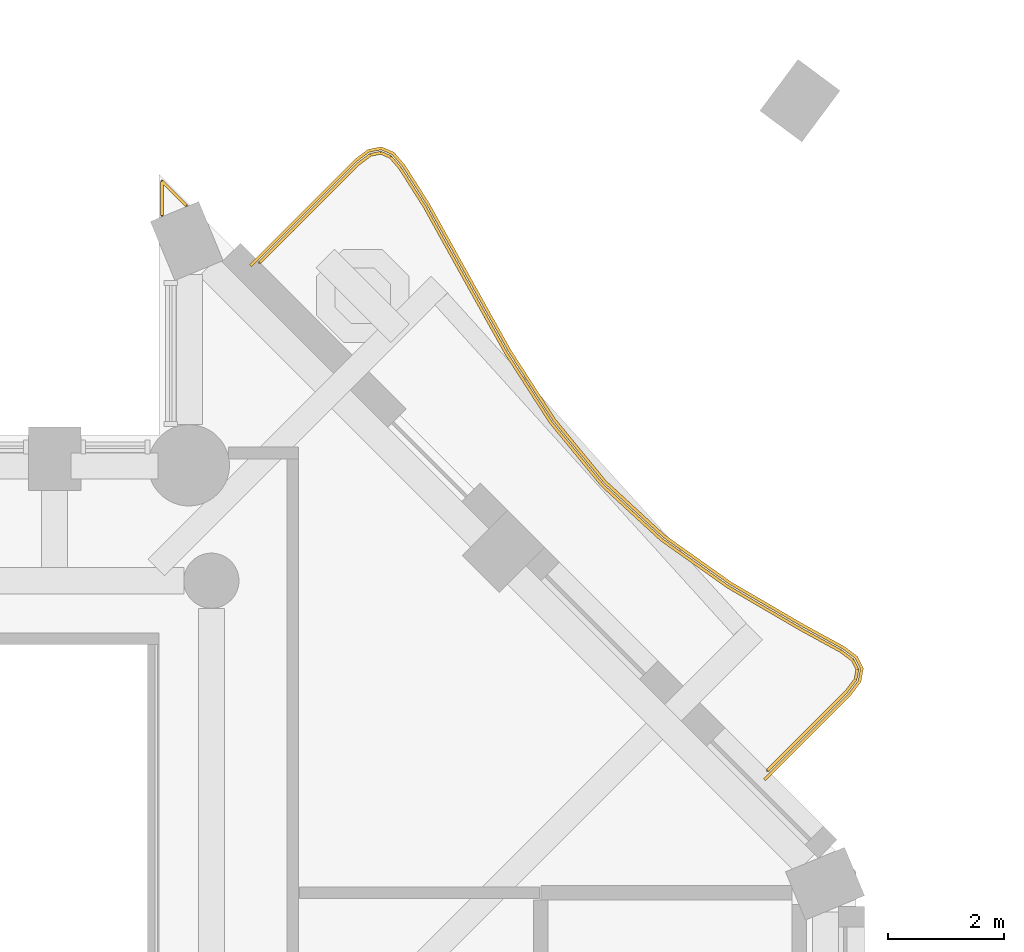
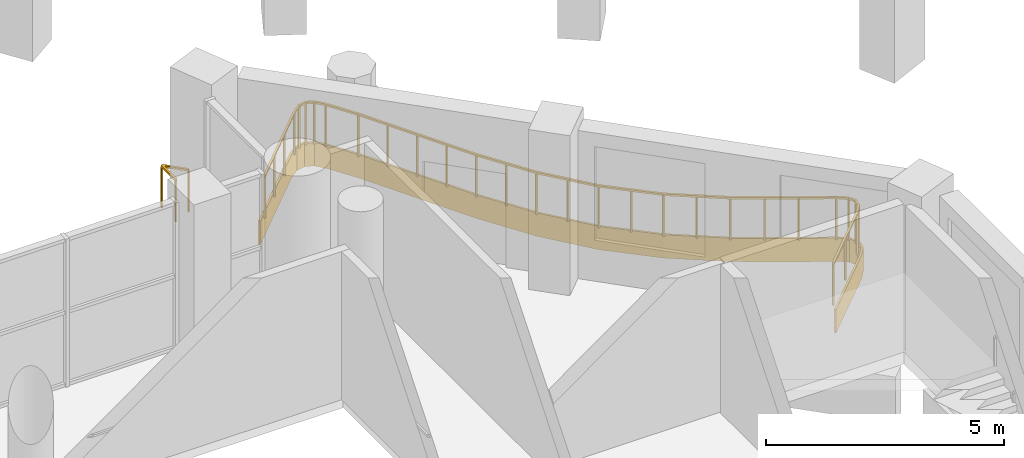
# One storey, part 13 of 14: 2 railings, 1 covering.
"""IFC4 building model written with IfcOpenShell, lengths in metres."""

from ifc_helpers import new_model, si_unit, direction, frame, origin, origin_2d, place, context, subcontext, project, spatial, polyline, rectangle, outline, extrude, material, layer, layer_set, type_object, element, save


model = new_model("IFC4")

# Units and contexts
model_context = context("Model", 3, precision=1e-05, world=origin(), true_north=direction((0.0, 1.0)))
body_context = subcontext(model_context, "Body", "Model", "MODEL_VIEW")
ifc_project = project(units=[si_unit("LENGTHUNIT", "METRE"), si_unit("AREAUNIT", "SQUARE_METRE"), si_unit("VOLUMEUNIT", "CUBIC_METRE"), si_unit("PLANEANGLEUNIT", "RADIAN"), si_unit("MASSUNIT", "GRAM", prefix="KILO")], contexts=[model_context])

# Site, building, storey
site_placement = place(None, origin())
site = spatial("IfcSite", under=ifc_project, at=site_placement, CompositionType="ELEMENT")
building_placement = place(site_placement, origin())
building = spatial("IfcBuilding", under=site, at=building_placement, Name="Cypress Arch Tower", CompositionType="ELEMENT")
storey_placement = place(building_placement, frame((0.0, 0.0, 226.10009765625)))
storey = spatial("IfcBuildingStorey", under=building, at=storey_placement, Name="L50", CompositionType="ELEMENT", Elevation=226.10009765625)

# Covering
ifc_material_1 = material(Name="White powder-coated aluminium fascia", Category="aluminium")
ifc_layer = layer(ifc_material_1, 0.050048828125)
ifc_layer_set = layer_set([ifc_layer], Name="Balcony fascia BF50")
covering_type = type_object("IfcCoveringType", Name="Balcony fascia BF50", PredefinedType="CLADDING", material=ifc_layer_set)
covering_placement = place(storey_placement, frame((0.0, 0.0, -0.60009765625)))
element("IfcCovering", 1, at=covering_placement, inside=storey, type_object=covering_type, Name="Balcony fascia L50-B05", PredefinedType="CLADDING", context=body_context, shape_type="SweptSolid", body=[
    extrude(outline(polyline([(11.467529296875, 17.256103515625), (11.698486328125, 17.42919921875), (11.930419921875, 17.474365234375), (12.14697265625, 17.379638671875), (12.334716796875, 17.16064453125), (12.756103515625, 16.4970703125), (13.455810546875, 15.2353515625), (14.156494140625, 13.978759765625), (14.921875, 12.790771484375), (15.80078125, 11.71875), (16.815673828125, 10.78369140625), (17.958984375, 9.97509765625), (19.19384765625, 9.25439453125), (19.8935546875, 8.872314453125), (20.126708984375, 8.6982421875), (20.2314453125, 8.4892578125), (20.189697265625, 8.25927734375), (20.01513671875, 8.0263671875), (18.545166015625, 6.556396484375), (18.509765625, 6.591796875), (19.977294921875, 8.059326171875), (20.142578125, 8.27978515625), (20.179443359375, 8.481689453125), (20.087158203125, 8.665283203125), (19.866455078125, 8.830078125), (19.169189453125, 9.210693359375), (17.931884765625, 9.93310546875), (16.7841796875, 10.744873046875), (15.76416015625, 11.6845703125), (14.881591796875, 12.76123046875), (14.11376953125, 13.953125), (13.412109375, 15.211181640625), (12.713134765625, 16.471435546875), (12.29443359375, 17.130615234375), (12.116455078125, 17.33837890625), (11.9248046875, 17.42236328125), (11.71923828125, 17.38232421875), (11.500244140625, 17.21826171875), (9.691650390625, 15.40966796875), (9.65625, 15.445068359375), (11.467529296875, 17.256103515625)])), origin(), (0.0, 0.0, 1.0), 0.60009765625),
])

# Railings
ifc_material_2 = material(Name="Powder-coated steel posts and rods, 100 mm clear between rods", Category="steel")
railing_type_1 = type_object("IfcRailingType", Name="Balcony guard GR1100", PredefinedType="GUARDRAIL", material=ifc_material_2)
railing_1_placement = place(storey_placement, frame((9.83251953125, 15.479736328125, 0.0)))
element("IfcRailing", 2, at=railing_1_placement, inside=storey, type_object=railing_type_1, Name="Balcony guard L50-B05", PredefinedType="GUARDRAIL", context=body_context, shape_type="SweptSolid", body=[
    extrude(rectangle(XDim=0.050048828125, YDim=0.050048828125, at=origin_2d()), frame((0.0, 0.0, 1.0751953125), z_axis=(0.707056021574, 0.707157537155, 0.0), x_axis=(-0.707157537155, 0.707056021574, 0.0)), (0.0, 0.0, 1.0), 2.405029296875),
    extrude(rectangle(XDim=0.050048828125, YDim=0.050048828125, at=origin_2d()), frame((1.700439453125, 1.70068359375, 1.0751953125), z_axis=(0.800452858426, 0.599395713562, 0.0), x_axis=(-0.599395713562, 0.800452858426, 0.0)), (0.0, 0.0, 1.0), 0.258544921875),
    extrude(rectangle(XDim=0.050048828125, YDim=0.050048828125, at=origin_2d()), frame((1.907470703125, 1.855712890625, 1.0751953125), z_axis=(0.981747595202, 0.190188483654, 0.0), x_axis=(-0.190188483654, 0.981747595202, 0.0)), (0.0, 0.0, 1.0), 0.182373046875),
    extrude(rectangle(XDim=0.050048828125, YDim=0.050048828125, at=origin_2d()), frame((2.08642578125, 1.890380859375, 1.0751953125), z_axis=(0.916280270629, -0.40053772064, 0.0), x_axis=(0.40053772064, 0.916280270629, 0.0)), (0.0, 0.0, 1.0), 0.18212890625),
    extrude(rectangle(XDim=0.050048828125, YDim=0.050048828125, at=origin_2d()), frame((2.25341796875, 1.8173828125, 1.0751953125), z_axis=(0.650713593295, -0.759323264164, 0.0), x_axis=(0.759323264164, 0.650713593295, 0.0)), (0.0, 0.0, 1.0), 0.258544921875),
    extrude(rectangle(XDim=0.050048828125, YDim=0.050048828125, at=origin_2d()), frame((2.421630859375, 1.62109375, 1.0751953125), z_axis=(0.536264445382, -0.84405002495, 0.0), x_axis=(0.84405002495, 0.536264445382, 0.0)), (0.0, 0.0, 1.0), 0.77587890625),
    extrude(rectangle(XDim=0.050048828125, YDim=0.050048828125, at=origin_2d()), frame((2.837646484375, 0.96630859375, 1.0751953125), z_axis=(0.484922964013, -0.874556870062, 0.0), x_axis=(0.874556870062, 0.484922964013, 0.0)), (0.0, 0.0, 1.0), 1.43994140625),
    extrude(rectangle(XDim=0.050048828125, YDim=0.050048828125, at=origin_2d()), frame((3.535888671875, -0.29296875, 1.0751953125), z_axis=(0.487050931636, -0.873373568407, 0.0), x_axis=(0.873373568407, 0.487050931636, 0.0)), (0.0, 0.0, 1.0), 1.442138671875),
    extrude(rectangle(XDim=0.050048828125, YDim=0.050048828125, at=origin_2d()), frame((4.23828125, -1.552490234375, 1.0751953125), z_axis=(0.541677071874, -0.840586670014, 0.0), x_axis=(0.840586670014, 0.541677071874, 0.0)), (0.0, 0.0, 1.0), 1.422119140625),
    extrude(rectangle(XDim=0.050048828125, YDim=0.050048828125, at=origin_2d()), frame((5.008544921875, -2.747802734375, 1.0751953125), z_axis=(0.633931377794, -0.773389299285, 0.0), x_axis=(0.773389299285, 0.633931377794, 0.0)), (0.0, 0.0, 1.0), 1.398681640625),
    extrude(rectangle(XDim=0.050048828125, YDim=0.050048828125, at=origin_2d()), frame((5.895263671875, -3.82958984375, 1.0751953125), z_axis=(0.735421039949, -0.677610429377, 0.0), x_axis=(0.677610429377, 0.735421039949, 0.0)), (0.0, 0.0, 1.0), 1.3935546875),
    extrude(rectangle(XDim=0.050048828125, YDim=0.050048828125, at=origin_2d()), frame((6.920166015625, -4.77392578125, 1.0751953125), z_axis=(0.816401713959, -0.577484407967, 0.0), x_axis=(0.577484407967, 0.816401713959, 0.0)), (0.0, 0.0, 1.0), 1.4111328125),
    extrude(rectangle(XDim=0.050048828125, YDim=0.050048828125, at=origin_2d()), frame((8.072265625, -5.5888671875, 1.0751953125), z_axis=(0.863643161693, -0.504103649322, 0.0), x_axis=(0.504103649322, 0.863643161693, 0.0)), (0.0, 0.0, 1.0), 1.435546875),
    extrude(rectangle(XDim=0.050048828125, YDim=0.050048828125, at=origin_2d()), frame((9.31201171875, -6.3125, 1.0751953125), z_axis=(0.877813047946, -0.479003395453, 0.0), x_axis=(0.479003395453, 0.877813047946, 0.0)), (0.0, 0.0, 1.0), 0.79150390625),
    extrude(rectangle(XDim=0.050048828125, YDim=0.050048828125, at=origin_2d()), frame((10.0068359375, -6.691650390625, 1.0751953125), z_axis=(0.801124293578, -0.598498008551, 0.0), x_axis=(0.598498008551, 0.801124293578, 0.0)), (0.0, 0.0, 1.0), 0.26025390625),
    extrude(rectangle(XDim=0.050048828125, YDim=0.050048828125, at=origin_2d()), frame((10.21533203125, -6.847412109375, 1.0751953125), z_axis=(0.4488701946, -0.893596972018, 0.0), x_axis=(0.893596972018, 0.4488701946, 0.0)), (0.0, 0.0, 1.0), 0.1767578125),
    extrude(rectangle(XDim=0.050048828125, YDim=0.050048828125, at=origin_2d()), frame((10.294677734375, -7.00537109375, 1.0751953125), z_axis=(-0.178035218745, -0.984024116009, 0.0), x_axis=(0.984024116009, -0.178035218745, 0.0)), (0.0, 0.0, 1.0), 0.177001953125),
    extrude(rectangle(XDim=0.050048828125, YDim=0.050048828125, at=origin_2d()), frame((10.26318359375, -7.179443359375, 1.0751953125), z_axis=(-0.600150026955, -0.7998874578, 0.0), x_axis=(0.7998874578, -0.600150026955, 0.0)), (0.0, 0.0, 1.0), 0.26025390625),
    extrude(rectangle(XDim=0.050048828125, YDim=0.050048828125, at=origin_2d()), frame((10.10693359375, -7.3876953125, 1.0751953125), z_axis=(-0.707106781187, -0.707106781187, 0.0), x_axis=(0.707106781187, -0.707106781187, 0.0)), (0.0, 0.0, 1.0), 1.9228515625),
    extrude(rectangle(XDim=0.0400390625, YDim=0.0400390625, at=origin_2d()), origin(), (0.0, 0.0, 1.0), 1.050048828125),
    extrude(rectangle(XDim=0.0400390625, YDim=0.0400390625, at=origin_2d()), frame((0.56689453125, 0.56689453125, 0.0)), (0.0, 0.0, 1.0), 1.050048828125),
    extrude(rectangle(XDim=0.0400390625, YDim=0.0400390625, at=origin_2d()), frame((1.133544921875, 1.1337890625, 0.0)), (0.0, 0.0, 1.0), 1.050048828125),
    extrude(rectangle(XDim=0.0400390625, YDim=0.0400390625, at=origin_2d()), frame((1.700439453125, 1.70068359375, 0.0)), (0.0, 0.0, 1.0), 1.050048828125),
    extrude(rectangle(XDim=0.0400390625, YDim=0.0400390625, at=origin_2d()), frame((1.907470703125, 1.855712890625, 0.0)), (0.0, 0.0, 1.0), 1.050048828125),
    extrude(rectangle(XDim=0.0400390625, YDim=0.0400390625, at=origin_2d()), frame((2.08642578125, 1.890380859375, 0.0)), (0.0, 0.0, 1.0), 1.050048828125),
    extrude(rectangle(XDim=0.0400390625, YDim=0.0400390625, at=origin_2d()), frame((2.25341796875, 1.8173828125, 0.0)), (0.0, 0.0, 1.0), 1.050048828125),
    extrude(rectangle(XDim=0.0400390625, YDim=0.0400390625, at=origin_2d()), frame((2.421630859375, 1.62109375, 0.0)), (0.0, 0.0, 1.0), 1.050048828125),
    extrude(rectangle(XDim=0.0400390625, YDim=0.0400390625, at=origin_2d()), frame((2.837646484375, 0.96630859375, 0.0)), (0.0, 0.0, 1.0), 1.050048828125),
    extrude(rectangle(XDim=0.0400390625, YDim=0.0400390625, at=origin_2d()), frame((3.186767578125, 0.336669921875, 0.0)), (0.0, 0.0, 1.0), 1.050048828125),
    extrude(rectangle(XDim=0.0400390625, YDim=0.0400390625, at=origin_2d()), frame((3.535888671875, -0.29296875, 0.0)), (0.0, 0.0, 1.0), 1.050048828125),
    extrude(rectangle(XDim=0.0400390625, YDim=0.0400390625, at=origin_2d()), frame((3.88720703125, -0.9228515625, 0.0)), (0.0, 0.0, 1.0), 1.050048828125),
    extrude(rectangle(XDim=0.0400390625, YDim=0.0400390625, at=origin_2d()), frame((4.23828125, -1.552490234375, 0.0)), (0.0, 0.0, 1.0), 1.050048828125),
    extrude(rectangle(XDim=0.0400390625, YDim=0.0400390625, at=origin_2d()), frame((4.62353515625, -2.150146484375, 0.0)), (0.0, 0.0, 1.0), 1.050048828125),
    extrude(rectangle(XDim=0.0400390625, YDim=0.0400390625, at=origin_2d()), frame((5.008544921875, -2.747802734375, 0.0)), (0.0, 0.0, 1.0), 1.050048828125),
    extrude(rectangle(XDim=0.0400390625, YDim=0.0400390625, at=origin_2d()), frame((5.451904296875, -3.28857421875, 0.0)), (0.0, 0.0, 1.0), 1.050048828125),
    extrude(rectangle(XDim=0.0400390625, YDim=0.0400390625, at=origin_2d()), frame((5.895263671875, -3.82958984375, 0.0)), (0.0, 0.0, 1.0), 1.050048828125),
    extrude(rectangle(XDim=0.0400390625, YDim=0.0400390625, at=origin_2d()), frame((6.40771484375, -4.3017578125, 0.0)), (0.0, 0.0, 1.0), 1.050048828125),
    extrude(rectangle(XDim=0.0400390625, YDim=0.0400390625, at=origin_2d()), frame((6.920166015625, -4.77392578125, 0.0)), (0.0, 0.0, 1.0), 1.050048828125),
    extrude(rectangle(XDim=0.0400390625, YDim=0.0400390625, at=origin_2d()), frame((7.49609375, -5.181396484375, 0.0)), (0.0, 0.0, 1.0), 1.050048828125),
    extrude(rectangle(XDim=0.0400390625, YDim=0.0400390625, at=origin_2d()), frame((8.072265625, -5.5888671875, 0.0)), (0.0, 0.0, 1.0), 1.050048828125),
    extrude(rectangle(XDim=0.0400390625, YDim=0.0400390625, at=origin_2d()), frame((8.692138671875, -5.95068359375, 0.0)), (0.0, 0.0, 1.0), 1.050048828125),
    extrude(rectangle(XDim=0.0400390625, YDim=0.0400390625, at=origin_2d()), frame((9.31201171875, -6.3125, 0.0)), (0.0, 0.0, 1.0), 1.050048828125),
    extrude(rectangle(XDim=0.0400390625, YDim=0.0400390625, at=origin_2d()), frame((10.0068359375, -6.691650390625, 0.0)), (0.0, 0.0, 1.0), 1.050048828125),
    extrude(rectangle(XDim=0.0400390625, YDim=0.0400390625, at=origin_2d()), frame((10.21533203125, -6.847412109375, 0.0)), (0.0, 0.0, 1.0), 1.050048828125),
    extrude(rectangle(XDim=0.0400390625, YDim=0.0400390625, at=origin_2d()), frame((10.294677734375, -7.00537109375, 0.0)), (0.0, 0.0, 1.0), 1.050048828125),
    extrude(rectangle(XDim=0.0400390625, YDim=0.0400390625, at=origin_2d()), frame((10.26318359375, -7.179443359375, 0.0)), (0.0, 0.0, 1.0), 1.050048828125),
    extrude(rectangle(XDim=0.0400390625, YDim=0.0400390625, at=origin_2d()), frame((10.10693359375, -7.3876953125, 0.0)), (0.0, 0.0, 1.0), 1.050048828125),
    extrude(rectangle(XDim=0.0400390625, YDim=0.0400390625, at=origin_2d()), frame((9.42724609375, -8.0673828125, 0.0)), (0.0, 0.0, 1.0), 1.050048828125),
    extrude(rectangle(XDim=0.0400390625, YDim=0.0400390625, at=origin_2d()), frame((8.747314453125, -8.747314453125, 0.0)), (0.0, 0.0, 1.0), 1.050048828125),
])
ifc_material_3 = material(Name="Powder-coated steel posts and rods, 100 mm clear between rods", Category="steel")
railing_type_2 = type_object("IfcRailingType", Name="Corner guard GR1100C", PredefinedType="GUARDRAIL", material=ifc_material_3)
railing_2_placement = place(storey_placement, frame((8.14990234375, 16.290771484375, 0.0)))
element("IfcRailing", 3, at=railing_2_placement, inside=storey, type_object=railing_type_2, Name="Corner guard L50 7", PredefinedType="GUARDRAIL", context=body_context, shape_type="SweptSolid", body=[
    extrude(rectangle(XDim=0.050048828125, YDim=0.050048828125, at=origin_2d()), frame((0.0, 0.0, 1.0751953125), z_axis=(0.0, 1.0, 0.0), x_axis=(-1.0, 0.0, 0.0)), (0.0, 0.0, 1.0), 0.588623046875),
    extrude(rectangle(XDim=0.050048828125, YDim=0.050048828125, at=origin_2d()), frame((0.0, 0.588623046875, 1.0751953125), z_axis=(0.707106781187, -0.707106781187, 0.0), x_axis=(0.707106781187, 0.707106781187, 0.0)), (0.0, 0.0, 1.0), 0.588623046875),
    extrude(rectangle(XDim=0.0400390625, YDim=0.0400390625, at=origin_2d()), origin(), (0.0, 0.0, 1.0), 1.050048828125),
    extrude(rectangle(XDim=0.0400390625, YDim=0.0400390625, at=origin_2d()), frame((0.0, 0.588623046875, 0.0)), (0.0, 0.0, 1.0), 1.050048828125),
    extrude(rectangle(XDim=0.0400390625, YDim=0.0400390625, at=origin_2d()), frame((0.416259765625, 0.17236328125, 0.0)), (0.0, 0.0, 1.0), 1.050048828125),
])

save(model, "model.ifc")
